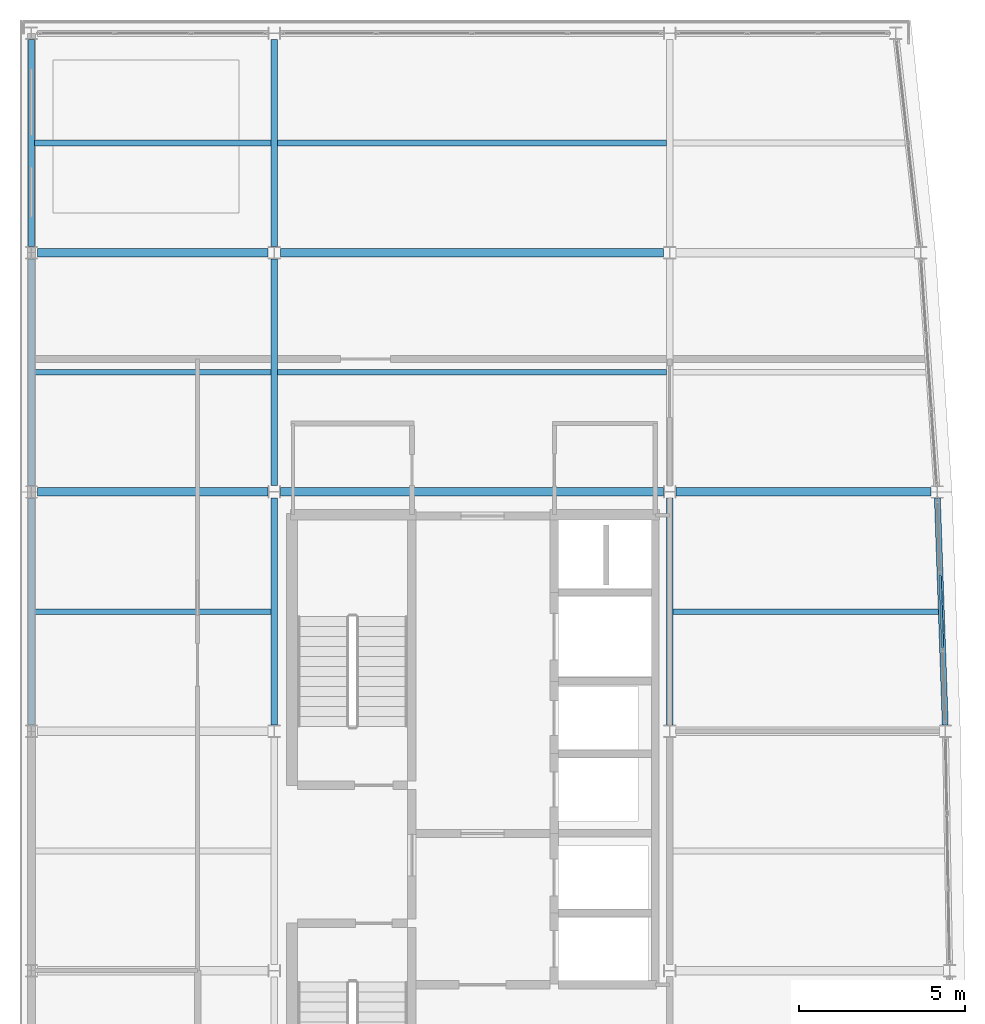
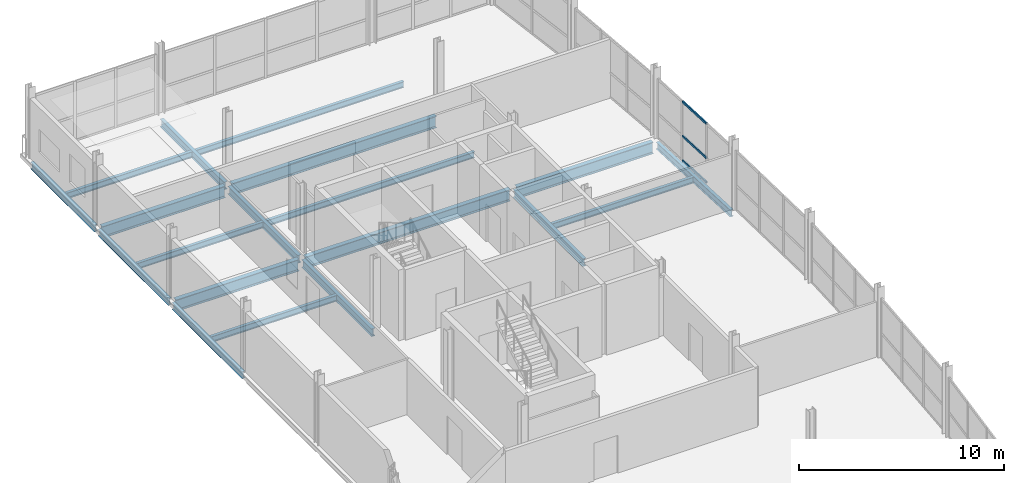
# One storey, part 7 of 20: 19 beams, 3 members, 1 element without a shape of its own.
"""IFC4 building model written with IfcOpenShell, lengths in metres."""

from ifc_helpers import new_model, si_unit, direction, frame, origin, origin_2d, place, context, subcontext, project, spatial, hollow_rectangle, i_section, extrude, material, layer, layer_set, material_profile, profile_set, type_object, element, aggregate, save


model = new_model("IFC4")

# Units and contexts
model_context = context("Model", 3, precision=1e-05, world=origin(), true_north=direction((0.0, 1.0)))
body_context = subcontext(model_context, "Body", "Model", "MODEL_VIEW")
ifc_project = project(units=[si_unit("LENGTHUNIT", "METRE"), si_unit("AREAUNIT", "SQUARE_METRE"), si_unit("VOLUMEUNIT", "CUBIC_METRE"), si_unit("PLANEANGLEUNIT", "RADIAN"), si_unit("MASSUNIT", "GRAM", prefix="KILO")], contexts=[model_context])

# Site, building, storey
site_placement = place(None, origin())
site = spatial("IfcSite", under=ifc_project, at=site_placement, CompositionType="ELEMENT")
building_placement = place(site_placement, origin())
building = spatial("IfcBuilding", under=site, at=building_placement, Name="Quillay Park Conservatory", CompositionType="ELEMENT")
storey_placement = place(building_placement, frame((0.0, 0.0, 26.699951171875)))
storey = spatial("IfcBuildingStorey", under=building, at=storey_placement, Name="L06", CompositionType="ELEMENT", Elevation=26.699951171875)

# Beams
ifc_material_1 = material(Name="Steel ASTM A992 Grade 50", Category="steel")
ifc_material_profile_1 = material_profile(ifc_material_1, i_section(OverallWidth=0.172119140625, OverallDepth=0.35791015625, WebThickness=0.0078125, FlangeThickness=0.01318359375, FilletRadius=0.010986328125, at=origin_2d()), Name="W360x57")
ifc_profile_set_1 = profile_set([ifc_material_profile_1], Name="Steel ASTM A992 Grade 50")
beam_type_1 = type_object("IfcBeamType", Name="COMPOSITE FLOOR JOIST W360 X57", PredefinedType="JOIST", material=ifc_profile_set_1)
beam_1_placement = place(storey_placement, frame((0.639892578125, 96.0, -0.39892578125), z_axis=(1.0, 0.0, 0.0), x_axis=(0.0, 1.0, 0.0)))
element("IfcBeam", 1, at=beam_1_placement, inside=storey, type_object=beam_type_1, Name="L06 beam BM-J-0500", PredefinedType="JOIST", context=body_context, shape_type="SweptSolid", body=[
    extrude(i_section(OverallWidth=0.172119140625, OverallDepth=0.35791015625, WebThickness=0.0078125, FlangeThickness=0.01318359375, FilletRadius=0.010986328125, at=origin_2d()), origin(), (0.0, 0.0, 1.0), 7.114013671875),
])
beam_2_placement = place(storey_placement, frame((19.845947265625, 96.0, -0.39892578125), z_axis=(1.0, 0.0, 0.0), x_axis=(0.0, 1.0, 0.0)))
element("IfcBeam", 2, at=beam_2_placement, inside=storey, type_object=beam_type_1, Name="L06 beam BM-J-0501", PredefinedType="JOIST", context=body_context, shape_type="SweptSolid", body=[
    extrude(i_section(OverallWidth=0.172119140625, OverallDepth=0.35791015625, WebThickness=0.0078125, FlangeThickness=0.01318359375, FilletRadius=0.010986328125, at=origin_2d()), origin(), (0.0, 0.0, 1.0), 7.989013671875),
])
beam_3_placement = place(storey_placement, frame((0.639892578125, 103.199951171875, -0.39892578125), z_axis=(1.0, 0.0, 0.0), x_axis=(0.0, 1.0, 0.0)))
element("IfcBeam", 3, at=beam_3_placement, inside=storey, type_object=beam_type_1, Name="L06 beam BM-J-0506", PredefinedType="JOIST", context=body_context, shape_type="SweptSolid", body=[
    extrude(i_section(OverallWidth=0.172119140625, OverallDepth=0.35791015625, WebThickness=0.0078125, FlangeThickness=0.01318359375, FilletRadius=0.010986328125, at=origin_2d()), origin(), (0.0, 0.0, 1.0), 7.114013671875),
])
beam_4_placement = place(storey_placement, frame((7.946044921875, 103.199951171875, -0.39892578125), z_axis=(1.0, 0.0, 0.0), x_axis=(0.0, 1.0, 0.0)))
element("IfcBeam", 4, at=beam_4_placement, inside=storey, type_object=beam_type_1, Name="L06 beam BM-J-0508", PredefinedType="JOIST", context=body_context, shape_type="SweptSolid", body=[
    extrude(i_section(OverallWidth=0.172119140625, OverallDepth=0.35791015625, WebThickness=0.0078125, FlangeThickness=0.01318359375, FilletRadius=0.010986328125, at=origin_2d()), origin(), (0.0, 0.0, 1.0), 11.7080078125),
])
beam_5_placement = place(storey_placement, frame((0.639892578125, 110.10009765625, -0.39892578125), z_axis=(1.0, 0.0, 0.0), x_axis=(0.0, 1.0, 0.0)))
element("IfcBeam", 5, at=beam_5_placement, inside=storey, type_object=beam_type_1, Name="L06 beam BM-J-0513", PredefinedType="JOIST", context=body_context, shape_type="SweptSolid", body=[
    extrude(i_section(OverallWidth=0.172119140625, OverallDepth=0.35791015625, WebThickness=0.0078125, FlangeThickness=0.01318359375, FilletRadius=0.010986328125, at=origin_2d()), origin(), (0.0, 0.0, 1.0), 7.114013671875),
])
beam_6_placement = place(storey_placement, frame((7.946044921875, 110.10009765625, -0.39892578125), z_axis=(1.0, 0.0, 0.0), x_axis=(0.0, 1.0, 0.0)))
element("IfcBeam", 6, at=beam_6_placement, inside=storey, type_object=beam_type_1, Name="L06 beam BM-J-0515", PredefinedType="JOIST", context=body_context, shape_type="SweptSolid", body=[
    extrude(i_section(OverallWidth=0.172119140625, OverallDepth=0.35791015625, WebThickness=0.0078125, FlangeThickness=0.01318359375, FilletRadius=0.010986328125, at=origin_2d()), origin(), (0.0, 0.0, 1.0), 11.7080078125),
])

# Curtain wall, members
ifc_material_2 = material(Name="Thermally Broken Anodised Aluminium 6063-T6", Category="aluminium")
ifc_layer = layer(ifc_material_2, 0.199951171875)
ifc_layer_set = layer_set([ifc_layer], Name="UNITISED CURTAIN WALL HERBARIUM (Thermally Broken Anodised Aluminium 6063-T6)")
curtain_wall_type = type_object("IfcCurtainWallType", Name="UNITISED CURTAIN WALL HERBARIUM", PredefinedType="USERDEFINED", material=ifc_layer_set)
curtain_wall_placement = place(storey_placement, origin())
curtain_wall = element("IfcCurtainWall", 7, at=curtain_wall_placement, inside=storey, type_object=curtain_wall_type, Name="L06 Unitised Curtain Wall 062", ObjectType="UNITISED CURTAIN WALL", PredefinedType="USERDEFINED")
ifc_material_3 = material(Name="Thermally Broken Anodised Aluminium 6063-T6", Category="aluminium")
ifc_material_profile_2 = material_profile(ifc_material_3, hollow_rectangle(XDim=0.070068359375, YDim=0.1298828125, WallThickness=0.003173828125, at=origin_2d()), Name="AL70x130x3.2")
ifc_profile_set_2 = profile_set([ifc_material_profile_2], Name="Thermally Broken Anodised Aluminium 6063-T6")
member_type = type_object("IfcMemberType", Name="CURTAIN WALL TRANSOM 70 X130", PredefinedType="USERDEFINED", material=ifc_profile_set_2)
member_1_placement = place(storey_placement, frame((27.886962890625, 97.098388671875, 0.03515625), z_axis=(0.034653546152, -0.999399385501, 0.0), x_axis=(0.999399385501, 0.034653546152, 0.0)))
member_1 = element("IfcMember", 8, at=member_1_placement, type_object=member_type, Name="CW-T2 transom 2.1", ObjectType="TRANSOM", PredefinedType="USERDEFINED", context=body_context, shape_type="SweptSolid", body=[
    extrude(hollow_rectangle(XDim=0.070068359375, YDim=0.1298828125, WallThickness=0.003173828125, at=origin_2d()), origin(), (0.0, 0.0, 1.0), 2.197998046875),
])
member_2_placement = place(storey_placement, frame((27.886962890625, 97.098388671875, 1.4990234375), z_axis=(0.034653546152, -0.999399385501, 0.0), x_axis=(0.999399385501, 0.034653546152, 0.0)))
member_2 = element("IfcMember", 9, at=member_2_placement, type_object=member_type, Name="CW-T2 transom 2.2", ObjectType="TRANSOM", PredefinedType="USERDEFINED", context=body_context, shape_type="SweptSolid", body=[
    extrude(hollow_rectangle(XDim=0.070068359375, YDim=0.1298828125, WallThickness=0.003173828125, at=origin_2d()), origin(), (0.0, 0.0, 1.0), 2.197998046875),
])
member_3_placement = place(storey_placement, frame((27.886962890625, 97.098388671875, 3.533935546875), z_axis=(0.034653546152, -0.999399385501, 0.0), x_axis=(0.999399385501, 0.034653546152, 0.0)))
member_3 = element("IfcMember", 10, at=member_3_placement, type_object=member_type, Name="CW-T2 transom 2.3", ObjectType="TRANSOM", PredefinedType="USERDEFINED", context=body_context, shape_type="SweptSolid", body=[
    extrude(hollow_rectangle(XDim=0.070068359375, YDim=0.1298828125, WallThickness=0.003173828125, at=origin_2d()), origin(), (0.0, 0.0, 1.0), 2.197998046875),
])
aggregate(curtain_wall, [member_1, member_2, member_3])

# Beams
ifc_material_4 = material(Name="Steel ASTM A992 Grade 50", Category="steel")
ifc_material_profile_3 = material_profile(ifc_material_4, i_section(OverallWidth=0.179931640625, OverallDepth=0.4130859375, WebThickness=0.009765625, FlangeThickness=0.01611328125, FilletRadius=0.011962890625, at=origin_2d()), Name="W410x74")
ifc_profile_set_3 = profile_set([ifc_material_profile_3], Name="Steel ASTM A992 Grade 50")
beam_type_2 = type_object("IfcBeamType", Name="PERIMETER SPANDREL BEAM W410 X74", PredefinedType="SPANDREL", material=ifc_profile_set_3)
beam_7_placement = place(storey_placement, frame((0.550048828125, 92.5859375, -0.426513671875), z_axis=(0.0, 1.0, 0.0), x_axis=(-1.0, 0.0, 0.0)))
element("IfcBeam", 11, at=beam_7_placement, inside=storey, type_object=beam_type_2, Name="L06 beam BM-SPW-0496", PredefinedType="SPANDREL", context=body_context, shape_type="SweptSolid", body=[
    extrude(i_section(OverallWidth=0.179931640625, OverallDepth=0.4130859375, WebThickness=0.009765625, FlangeThickness=0.01611328125, FilletRadius=0.011962890625, at=origin_2d()), origin(), (0.0, 0.0, 1.0), 6.828125),
])
beam_8_placement = place(storey_placement, frame((28.04345703125, 92.5859375, -0.426513671875), z_axis=(-0.034697344385, 0.999397865864, 0.0), x_axis=(-0.999397865864, -0.034697344385, 0.0)))
element("IfcBeam", 12, at=beam_8_placement, inside=storey, type_object=beam_type_2, Name="L06 beam BM-SPE-0497", PredefinedType="SPANDREL", context=body_context, shape_type="SweptSolid", body=[
    extrude(i_section(OverallWidth=0.179931640625, OverallDepth=0.4130859375, WebThickness=0.009765625, FlangeThickness=0.01611328125, FilletRadius=0.011962890625, at=origin_2d()), origin(), (0.0, 0.0, 1.0), 6.832275390625),
])
beam_9_placement = place(storey_placement, frame((0.550048828125, 99.785888671875, -0.426513671875), z_axis=(0.0, 1.0, 0.0), x_axis=(-1.0, 0.0, 0.0)))
element("IfcBeam", 13, at=beam_9_placement, inside=storey, type_object=beam_type_2, Name="L06 beam BM-SPW-0502", PredefinedType="SPANDREL", context=body_context, shape_type="SweptSolid", body=[
    extrude(i_section(OverallWidth=0.179931640625, OverallDepth=0.4130859375, WebThickness=0.009765625, FlangeThickness=0.01611328125, FilletRadius=0.011962890625, at=origin_2d()), origin(), (0.0, 0.0, 1.0), 6.828125),
])
beam_10_placement = place(storey_placement, frame((0.550048828125, 106.986083984375, -0.426513671875), z_axis=(0.0, 1.0, 0.0), x_axis=(-1.0, 0.0, 0.0)))
element("IfcBeam", 14, at=beam_10_placement, inside=storey, type_object=beam_type_2, Name="L06 beam BM-SPW-0509", PredefinedType="SPANDREL", context=body_context, shape_type="SweptSolid", body=[
    extrude(i_section(OverallWidth=0.179931640625, OverallDepth=0.4130859375, WebThickness=0.009765625, FlangeThickness=0.01611328125, FilletRadius=0.011962890625, at=origin_2d()), origin(), (0.0, 0.0, 1.0), 6.22802734375),
])
ifc_material_5 = material(Name="Steel ASTM A992 Grade 50", Category="steel")
ifc_material_profile_4 = material_profile(ifc_material_5, i_section(OverallWidth=0.19189453125, OverallDepth=0.462890625, WebThickness=0.010498046875, FlangeThickness=0.017578125, FilletRadius=0.012939453125, at=origin_2d()), Name="W460x89")
ifc_profile_set_4 = profile_set([ifc_material_profile_4], Name="Steel ASTM A992 Grade 50")
beam_type_3 = type_object("IfcBeamType", Name="PRIMARY FLOOR GIRDER W460 X89", PredefinedType="BEAM", material=ifc_profile_set_4)
for number, where, z_axis, x_axis, name in (
    (15, (7.85009765625, 92.5859375, -0.451416015625), (0.0, 1.0, 0.0), (-1.0, 0.0, 0.0), "L06 beam BM-GNS-0498"),
    (16, (19.75, 92.5859375, -0.451416015625), (0.0, 1.0, 0.0), (-1.0, 0.0, 0.0), "L06 beam BM-GNS-0499"),
):
    element("IfcBeam", number, at=place(storey_placement, frame(where, z_axis=z_axis, x_axis=x_axis)), inside=storey, type_object=beam_type_3, Name=name, PredefinedType="BEAM", context=body_context, shape_type="SweptSolid", body=[
        extrude(i_section(OverallWidth=0.19189453125, OverallDepth=0.462890625, WebThickness=0.010498046875, FlangeThickness=0.017578125, FilletRadius=0.012939453125, at=origin_2d()), origin(), (0.0, 0.0, 1.0), 6.8271484375),
    ])
beam_11_placement = place(storey_placement, frame((7.85009765625, 99.787109375, -0.451416015625), z_axis=(0.0, 1.0, 0.0), x_axis=(-1.0, 0.0, 0.0)))
element("IfcBeam", 17, at=beam_11_placement, inside=storey, type_object=beam_type_3, Name="L06 beam BM-GNS-0504", PredefinedType="BEAM", context=body_context, shape_type="SweptSolid", body=[
    extrude(i_section(OverallWidth=0.19189453125, OverallDepth=0.462890625, WebThickness=0.010498046875, FlangeThickness=0.017578125, FilletRadius=0.012939453125, at=origin_2d()), origin(), (0.0, 0.0, 1.0), 6.826904296875),
])
beam_12_placement = place(storey_placement, frame((7.85009765625, 106.986083984375, -0.451416015625), z_axis=(0.0, 1.0, 0.0), x_axis=(-1.0, 0.0, 0.0)))
element("IfcBeam", 18, at=beam_12_placement, inside=storey, type_object=beam_type_3, Name="L06 beam BM-GNS-0511", PredefinedType="BEAM", context=body_context, shape_type="SweptSolid", body=[
    extrude(i_section(OverallWidth=0.19189453125, OverallDepth=0.462890625, WebThickness=0.010498046875, FlangeThickness=0.017578125, FilletRadius=0.012939453125, at=origin_2d()), origin(), (0.0, 0.0, 1.0), 6.226806640625),
])
ifc_material_6 = material(Name="Steel ASTM A992 Grade 50", Category="steel")
ifc_material_profile_5 = material_profile(ifc_material_6, i_section(OverallWidth=0.256103515625, OverallDepth=0.693115234375, WebThickness=0.014404296875, FlangeThickness=0.023681640625, FilletRadius=0.01611328125, at=origin_2d()), Name="W690x170")
ifc_profile_set_5 = profile_set([ifc_material_profile_5], Name="Steel ASTM A992 Grade 50")
beam_type_4 = type_object("IfcBeamType", Name="PRIMARY FLOOR GIRDER W690 X170", PredefinedType="BEAM", material=ifc_profile_set_5)
beam_13_placement = place(storey_placement, frame((0.737060546875, 99.60009765625, -0.56640625), z_axis=(1.0, 0.0, 0.0), x_axis=(0.0, 1.0, 0.0)))
element("IfcBeam", 19, at=beam_13_placement, inside=storey, type_object=beam_type_4, Name="L06 beam BM-HB-0461", PredefinedType="BEAM", context=body_context, shape_type="SweptSolid", body=[
    extrude(i_section(OverallWidth=0.256103515625, OverallDepth=0.693115234375, WebThickness=0.014404296875, FlangeThickness=0.023681640625, FilletRadius=0.01611328125, at=origin_2d()), origin(), (0.0, 0.0, 1.0), 6.927001953125),
])
beam_14_placement = place(storey_placement, frame((8.035888671875, 99.60009765625, -0.56640625), z_axis=(1.0, 0.0, 0.0), x_axis=(0.0, 1.0, 0.0)))
element("IfcBeam", 20, at=beam_14_placement, inside=storey, type_object=beam_type_4, Name="L06 beam BM-HB-0462", PredefinedType="BEAM", context=body_context, shape_type="SweptSolid", body=[
    extrude(i_section(OverallWidth=0.256103515625, OverallDepth=0.693115234375, WebThickness=0.014404296875, FlangeThickness=0.023681640625, FilletRadius=0.01611328125, at=origin_2d()), origin(), (0.0, 0.0, 1.0), 11.528076171875),
])
beam_15_placement = place(storey_placement, frame((19.93603515625, 99.60009765625, -0.56640625), z_axis=(1.0, 0.0, 0.0), x_axis=(0.0, 1.0, 0.0)))
element("IfcBeam", 21, at=beam_15_placement, inside=storey, type_object=beam_type_4, Name="L06 beam BM-HB-0463", PredefinedType="BEAM", context=body_context, shape_type="SweptSolid", body=[
    extrude(i_section(OverallWidth=0.256103515625, OverallDepth=0.693115234375, WebThickness=0.014404296875, FlangeThickness=0.023681640625, FilletRadius=0.01611328125, at=origin_2d()), origin(), (0.0, 0.0, 1.0), 7.677001953125),
])
beam_16_placement = place(storey_placement, frame((0.737060546875, 106.800048828125, -0.56640625), z_axis=(1.0, 0.0, 0.0), x_axis=(0.0, 1.0, 0.0)))
element("IfcBeam", 22, at=beam_16_placement, inside=storey, type_object=beam_type_4, Name="L06 beam BM-HB-0464", PredefinedType="BEAM", context=body_context, shape_type="SweptSolid", body=[
    extrude(i_section(OverallWidth=0.256103515625, OverallDepth=0.693115234375, WebThickness=0.014404296875, FlangeThickness=0.023681640625, FilletRadius=0.01611328125, at=origin_2d()), origin(), (0.0, 0.0, 1.0), 6.926025390625),
])
beam_17_placement = place(storey_placement, frame((8.037109375, 106.800048828125, -0.56640625), z_axis=(1.0, 0.0, 0.0), x_axis=(0.0, 1.0, 0.0)))
element("IfcBeam", 23, at=beam_17_placement, inside=storey, type_object=beam_type_4, Name="L06 beam BM-HB-0465", PredefinedType="BEAM", context=body_context, shape_type="SweptSolid", body=[
    extrude(i_section(OverallWidth=0.256103515625, OverallDepth=0.693115234375, WebThickness=0.014404296875, FlangeThickness=0.023681640625, FilletRadius=0.01611328125, at=origin_2d()), origin(), (0.0, 0.0, 1.0), 11.52587890625),
])

save(model, "model.ifc")
